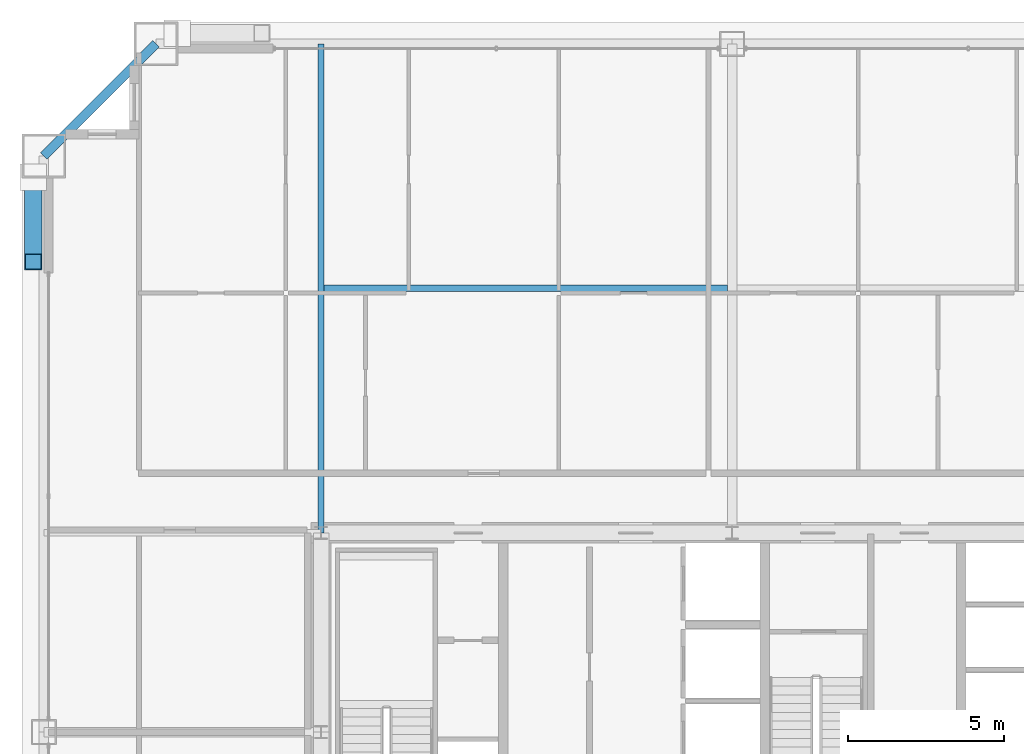
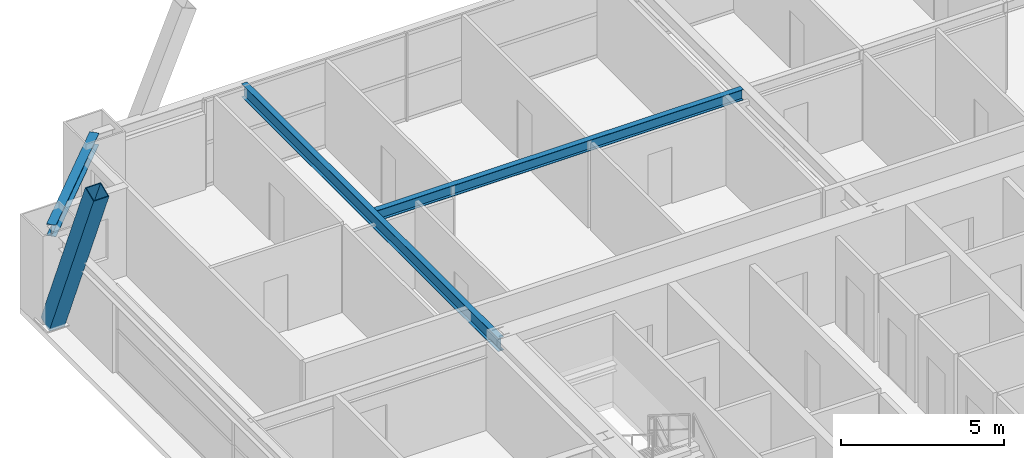
# One storey, part 31 of 45: 3 beams, 1 member.
"""IFC4 building model written with IfcOpenShell, lengths in metres."""

from ifc_helpers import new_model, si_unit, direction, frame, origin, origin_2d, place, context, subcontext, project, spatial, hollow_rectangle, i_section, extrude, source, transform, mapped, material, material_profile, profile_set, type_object, element, save


model = new_model("IFC4")

# Units and contexts
model_context = context("Model", 3, precision=1e-05, world=origin(), true_north=direction((0.0, 1.0)))
body_context = subcontext(model_context, "Body", "Model", "MODEL_VIEW")
ifc_project = project(units=[si_unit("LENGTHUNIT", "METRE"), si_unit("AREAUNIT", "SQUARE_METRE"), si_unit("VOLUMEUNIT", "CUBIC_METRE"), si_unit("PLANEANGLEUNIT", "RADIAN"), si_unit("MASSUNIT", "GRAM", prefix="KILO"), si_unit("THERMODYNAMICTEMPERATUREUNIT", "KELVIN"), si_unit("POWERUNIT", "WATT")], contexts=[model_context])

# Site, building, storey
site_placement = place(None, origin())
site = spatial("IfcSite", under=ifc_project, at=site_placement, CompositionType="ELEMENT")
building_placement = place(site_placement, origin())
building = spatial("IfcBuilding", under=site, at=building_placement, Name="Yuzanri Waterfront Tower", CompositionType="ELEMENT")
storey_placement = place(building_placement, frame((0.0, 0.0, 212.5)))
storey = spatial("IfcBuildingStorey", under=building, at=storey_placement, Name="L56", CompositionType="ELEMENT", Elevation=212.5)

# Beams
ifc_material_1 = material(Name="Steel Q355B", Category="steel")
ifc_material_profile_1 = material_profile(ifc_material_1, i_section(OverallWidth=0.199951171875, OverallDepth=0.39990234375, WebThickness=0.008056640625, FlangeThickness=0.012939453125, at=origin_2d()), Name="HN 400x200x8x13")
ifc_profile_set_1 = profile_set([ifc_material_profile_1], Name="Steel Q355B")
beam_type_1 = type_object("IfcBeamType", Name="Floor Joist Q355B HN 400x200", PredefinedType="JOIST", material=ifc_profile_set_1)
shared_shape_1 = source(origin(), body_context, "Body", "SweptSolid", [
    extrude(i_section(OverallWidth=0.199951171875, OverallDepth=0.39990234375, WebThickness=0.008056640625, FlangeThickness=0.012939453125, at=origin_2d()), origin(), (0.0, 0.0, 1.0), 12.9501953125),
])
beam_1_placement = place(storey_placement, frame((23.89990234375, 40.050048828125, 3.080078125), z_axis=(1.0, 0.0, 0.0), x_axis=(0.0, 1.0, 0.0)))
element("IfcBeam", 1, at=beam_1_placement, inside=storey, type_object=beam_type_1, Name="L56 North Bay Joist W", PredefinedType="JOIST", context=body_context, shape_type="MappedRepresentation", body=[
    mapped(shared_shape_1, transform((0.0, 0.0, 0.0), scale=1.0)),
])
ifc_material_2 = material(Name="Steel Q355B", Category="steel")
ifc_material_profile_2 = material_profile(ifc_material_2, i_section(OverallWidth=0.300048828125, OverallDepth=0.43994140625, WebThickness=0.010986328125, FlangeThickness=0.01806640625, at=origin_2d()), Name="HM 440x300x11x18")
ifc_profile_set_2 = profile_set([ifc_material_profile_2], Name="Steel Q355B")
beam_type_2 = type_object("IfcBeamType", Name="Perimeter Spandrel Q355B HM 440x300", PredefinedType="SPANDREL", material=ifc_profile_set_2)
shared_shape_2 = source(origin(), body_context, "Body", "SweptSolid", [
    extrude(i_section(OverallWidth=0.300048828125, OverallDepth=0.43994140625, WebThickness=0.010986328125, FlangeThickness=0.01806640625, at=origin_2d()), origin(), (0.0, 0.0, 1.0), 5.091064453125),
])
beam_2_placement = place(storey_placement, frame((18.5, 47.89990234375, 3.06005859375), z_axis=(-0.707130757816, -0.707082803744, 0.0), x_axis=(0.707082803744, -0.707130757816, 0.0)))
element("IfcBeam", 2, at=beam_2_placement, inside=storey, type_object=beam_type_2, Name="L56 Perimeter Spandrel N1-W3", PredefinedType="SPANDREL", context=body_context, shape_type="MappedRepresentation", body=[
    mapped(shared_shape_2, transform((0.0, 0.0, 0.0), scale=1.0)),
])
ifc_material_3 = material(Name="Steel Q355B", Category="steel")
ifc_material_profile_3 = material_profile(ifc_material_3, i_section(OverallWidth=0.199951171875, OverallDepth=0.5, WebThickness=0.010009765625, FlangeThickness=0.01611328125, at=origin_2d()), Name="HN 500x200x10x16")
ifc_profile_set_3 = profile_set([ifc_material_profile_3], Name="Steel Q355B")
beam_type_3 = type_object("IfcBeamType", Name="Secondary Floor Beam Q355B HN 500x200", PredefinedType="BEAM", material=ifc_profile_set_3)
shared_shape_3 = source(origin(), body_context, "Body", "SweptSolid", [
    extrude(i_section(OverallWidth=0.199951171875, OverallDepth=0.5, WebThickness=0.010009765625, FlangeThickness=0.01611328125, at=origin_2d()), origin(), (0.0, 0.0, 1.0), 15.699951171875),
])
beam_3_placement = place(storey_placement, frame((23.800048828125, 32.199951171875, 3.030029296875), z_axis=(0.0, 1.0, 0.0), x_axis=(-1.0, 0.0, 0.0)))
element("IfcBeam", 3, at=beam_3_placement, inside=storey, type_object=beam_type_3, Name="L56 North-West Core Line Beam", PredefinedType="BEAM", context=body_context, shape_type="MappedRepresentation", body=[
    mapped(shared_shape_3, transform((0.0, 0.0, 0.0), scale=1.0)),
])

# Member
ifc_material_4 = material(Name="Steel Q390GJC", Category="steel")
ifc_material_profile_4 = material_profile(ifc_material_4, hollow_rectangle(XDim=0.550048828125, YDim=0.550048828125, WallThickness=0.02490234375, at=origin_2d()), Name="RHS 550x550x25")
ifc_profile_set_4 = profile_set([ifc_material_profile_4], Name="Steel Q390GJC")
member_type = type_object("IfcMemberType", Name="Mega Brace Mid Q390GJC RHS 550x550x25", PredefinedType="BRACE", material=ifc_profile_set_4)
shared_shape_4 = source(origin(), body_context, "Body", "SweptSolid", [
    extrude(hollow_rectangle(XDim=0.550048828125, YDim=0.550048828125, WallThickness=0.02490234375, at=origin_2d()), origin(), (0.0, 0.0, 1.0), 7.046142578125),
])
member_placement = place(storey_placement, frame((14.56005859375, 43.6201171875, 0.179931640625), z_axis=(0.0, -0.386051696808, 0.922477147355), x_axis=(1.0, 0.0, 0.0)))
element("IfcMember", 4, at=member_placement, inside=storey, type_object=member_type, Name="L56-L57 Perimeter Mega-Brace W-R", PredefinedType="BRACE", context=body_context, shape_type="MappedRepresentation", body=[
    mapped(shared_shape_4, transform((0.0, 0.0, 0.0), scale=1.0)),
])

save(model, "model.ifc")
